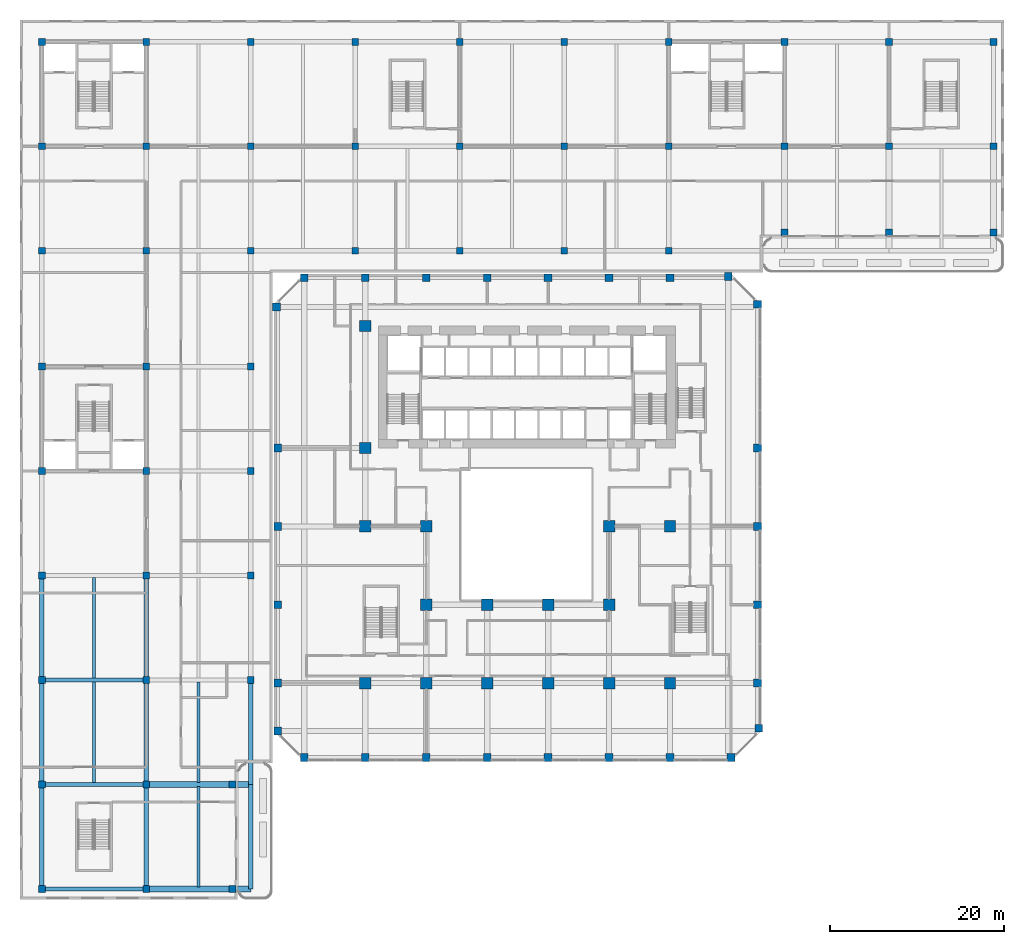
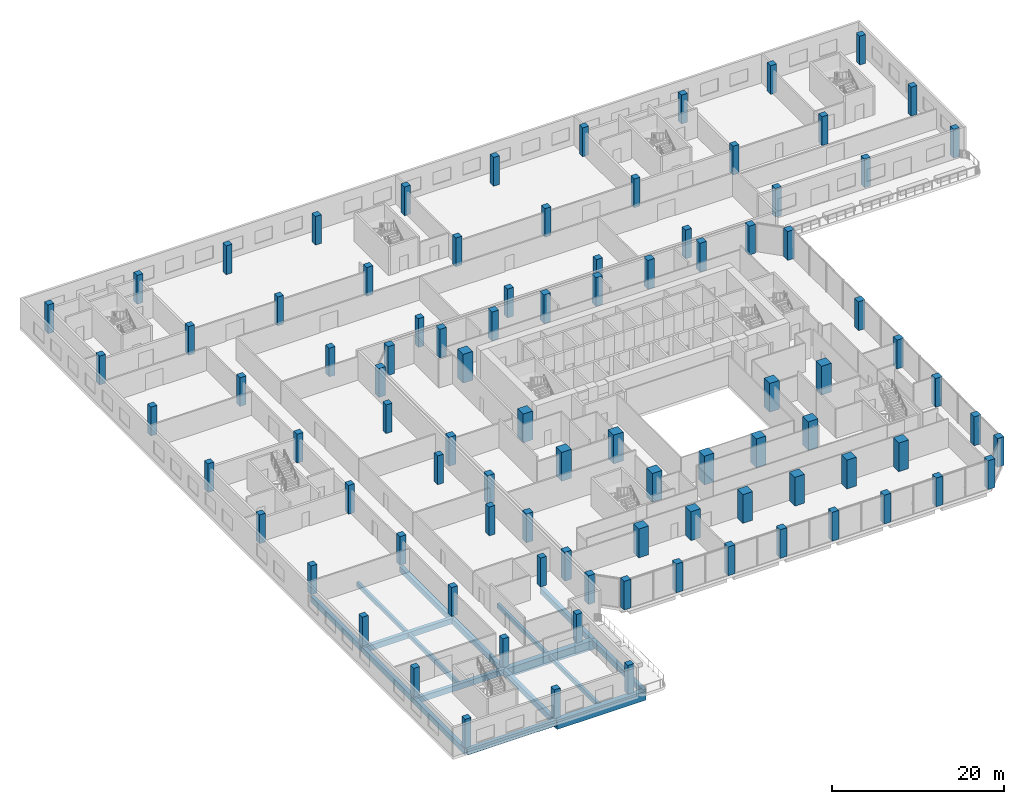
# One storey, part 1 of 35: 92 columns, 17 beams.
"""IFC4 building model written with IfcOpenShell, lengths in metres."""

from ifc_helpers import new_model, si_unit, direction, frame, origin, origin_2d, place, context, subcontext, project, spatial, rectangle, extrude, source, transform, mapped, material, material_profile, profile_set, type_object, element, save


model = new_model("IFC4")

# Units and contexts
model_context = context("Model", 3, precision=1e-05, world=origin(), true_north=direction((0.0, 1.0)))
body_context = subcontext(model_context, "Body", "Model", "MODEL_VIEW")
ifc_project = project(units=[si_unit("LENGTHUNIT", "METRE"), si_unit("AREAUNIT", "SQUARE_METRE"), si_unit("VOLUMEUNIT", "CUBIC_METRE"), si_unit("PLANEANGLEUNIT", "RADIAN"), si_unit("MASSUNIT", "GRAM", prefix="KILO")], contexts=[model_context])

# Site, building, storey
site_placement = place(None, origin())
site = spatial("IfcSite", under=ifc_project, at=site_placement, CompositionType="ELEMENT")
building_placement = place(site_placement, origin())
building = spatial("IfcBuilding", under=site, at=building_placement, Name="Kilnfold Tower and Market Hall", CompositionType="ELEMENT")
storey_placement = place(building_placement, frame((0.0, 0.0, 13.5)))
storey = spatial("IfcBuildingStorey", under=building, at=storey_placement, Name="L02", CompositionType="ELEMENT", Elevation=13.5)

# Columns
ifc_material_1 = material(Name="Concrete C80", Category="concrete")
ifc_material_profile_1 = material_profile(ifc_material_1, rectangle(XDim=0.89990234375, YDim=0.89990234375, at=origin_2d()), Name="RC 900x900")
ifc_profile_set_1 = profile_set([ifc_material_profile_1], Name="Concrete C80")
column_type_1 = type_object("IfcColumnType", Name="COLUMN 900X900 C80", PredefinedType="COLUMN", material=ifc_profile_set_1)
shared_shape_1 = source(origin(), body_context, "Body", "SweptSolid", [
    extrude(rectangle(XDim=0.89990234375, YDim=0.89990234375, at=origin_2d()), origin(), (0.0, 0.0, 1.0), 4.10009765625),
])
for number, where, z_axis, x_axis, name in (
    (1, (-27.681884765625, 24.181884765625, 0.0), (0.0, 0.0, 1.0), (1.0, 0.0, 0.0), "Column C-B1-1H"),
    (2, (-27.550048828125, -24.5, 0.0), (0.0, 0.0, 1.0), (1.0, 0.0, 0.0), "Column C-B1-1B"),
    (3, (-27.550048828125, -19.0, 0.0), (0.0, 0.0, 1.0), (1.0, 0.0, 0.0), "Column C-B1-1C"),
    (4, (-27.550048828125, -10.0, 0.0), (0.0, 0.0, 1.0), (1.0, 0.0, 0.0), "Column C-B1-1D"),
    (5, (-27.550048828125, -1.0, 0.0), (0.0, 0.0, 1.0), (1.0, 0.0, 0.0), "Column C-B1-1E"),
    (6, (-27.550048828125, 8.0, 0.0), (0.0, 0.0, 1.0), (1.0, 0.0, 0.0), "Column C-B1-1F"),
    (7, (-24.5, -27.550048828125, 0.0), (0.0, 0.0, 1.0), (1.0, 0.0, 0.0), "Column C-B1-2A"),
    (8, (-24.5, 27.550048828125, 0.0), (0.0, 0.0, 1.0), (1.0, 0.0, 0.0), "Column C-B1-2I"),
    (9, (-17.5, -27.550048828125, 0.0), (0.0, 0.0, 1.0), (1.0, 0.0, 0.0), "Column C-B1-3A"),
    (10, (-17.5, 27.550048828125, 0.0), (0.0, 0.0, 1.0), (1.0, 0.0, 0.0), "Column C-B1-3I"),
    (11, (-10.5, -27.550048828125, 0.0), (0.0, 0.0, 1.0), (1.0, 0.0, 0.0), "Column C-B1-4A"),
    (12, (-10.5, 27.550048828125, 0.0), (0.0, 0.0, 1.0), (1.0, 0.0, 0.0), "Column C-B1-4I"),
    (13, (-3.5, -27.550048828125, 0.0), (0.0, 0.0, 1.0), (1.0, 0.0, 0.0), "Column C-B1-5A"),
    (14, (-3.5, 27.550048828125, 0.0), (0.0, 0.0, 1.0), (1.0, 0.0, 0.0), "Column C-B1-5I"),
    (15, (3.5, -27.550048828125, 0.0), (0.0, 0.0, 1.0), (1.0, 0.0, 0.0), "Column C-B1-6A"),
    (16, (3.5, 27.550048828125, 0.0), (0.0, 0.0, 1.0), (1.0, 0.0, 0.0), "Column C-B1-6I"),
    (17, (10.5, -27.550048828125, 0.0), (0.0, 0.0, 1.0), (1.0, 0.0, 0.0), "Column C-B1-7A"),
    (18, (10.5, 27.550048828125, 0.0), (0.0, 0.0, 1.0), (1.0, 0.0, 0.0), "Column C-B1-7I"),
    (19, (17.5, -27.550048828125, 0.0), (0.0, 0.0, 1.0), (1.0, 0.0, 0.0), "Column C-B1-8A"),
    (20, (17.5, 27.550048828125, 0.0), (0.0, 0.0, 1.0), (1.0, 0.0, 0.0), "Column C-B1-8I"),
    (21, (24.181884765625, 27.681884765625, 0.0), (0.0, 0.0, 1.0), (1.0, 0.0, 0.0), "Column C-B1-9I"),
    (22, (24.5, -27.550048828125, 0.0), (0.0, 0.0, 1.0), (1.0, 0.0, 0.0), "Column C-B1-9A"),
    (23, (27.550048828125, -19.0, 0.0), (0.0, 0.0, 1.0), (1.0, 0.0, 0.0), "Column C-B1-10C"),
    (24, (27.550048828125, -10.0, 0.0), (0.0, 0.0, 1.0), (1.0, 0.0, 0.0), "Column C-B1-10D"),
    (25, (27.550048828125, -1.0, 0.0), (0.0, 0.0, 1.0), (1.0, 0.0, 0.0), "Column C-B1-10E"),
    (26, (27.550048828125, 8.0, 0.0), (0.0, 0.0, 1.0), (1.0, 0.0, 0.0), "Column C-B1-10F"),
    (27, (27.550048828125, 24.5, 0.0), (0.0, 0.0, 1.0), (1.0, 0.0, 0.0), "Column C-B1-10H"),
    (28, (27.681884765625, -24.181884765625, 0.0), (0.0, 0.0, 1.0), (1.0, 0.0, 0.0), "Column C-B1-10B"),
):
    element("IfcColumn", number, at=place(storey_placement, frame(where, z_axis=z_axis, x_axis=x_axis)), inside=storey, type_object=column_type_1, Name=name, PredefinedType="COLUMN", context=body_context, shape_type="MappedRepresentation", body=[
        mapped(shared_shape_1, transform((0.0, 0.0, 0.0))),
    ])
ifc_material_2 = material(Name="Concrete C80", Category="concrete")
ifc_material_profile_2 = material_profile(ifc_material_2, rectangle(XDim=1.300048828125, YDim=1.300048828125, at=origin_2d()), Name="RC 1300x1300")
ifc_profile_set_2 = profile_set([ifc_material_profile_2], Name="Concrete C80")
column_type_2 = type_object("IfcColumnType", Name="COLUMN 1300X1300 C80", PredefinedType="COLUMN", material=ifc_profile_set_2)
shared_shape_2 = source(origin(), body_context, "Body", "SweptSolid", [
    extrude(rectangle(XDim=1.300048828125, YDim=1.300048828125, at=origin_2d()), origin(), (0.0, 0.0, 1.0), 4.10009765625),
])
for number, where, z_axis, x_axis, name in (
    (29, (-17.5, -19.0, 0.0), (0.0, 0.0, 1.0), (1.0, 0.0, 0.0), "Column C-B1-3C"),
    (30, (-17.5, -1.0, 0.0), (0.0, 0.0, 1.0), (1.0, 0.0, 0.0), "Column C-B1-3E"),
    (31, (-17.5, 8.0, 0.0), (0.0, 0.0, 1.0), (1.0, 0.0, 0.0), "Column C-B1-3F"),
    (32, (-17.5, 22.0, 0.0), (0.0, 0.0, 1.0), (1.0, 0.0, 0.0), "Column C-B1-3G"),
    (33, (-10.5, -19.0, 0.0), (0.0, 0.0, 1.0), (1.0, 0.0, 0.0), "Column C-B1-4C"),
    (34, (-10.5, -10.0, 0.0), (0.0, 0.0, 1.0), (1.0, 0.0, 0.0), "Column C-B1-4D"),
    (35, (-10.5, -1.0, 0.0), (0.0, 0.0, 1.0), (1.0, 0.0, 0.0), "Column C-B1-4E"),
    (36, (-3.5, -19.0, 0.0), (0.0, 0.0, 1.0), (1.0, 0.0, 0.0), "Column C-B1-5C"),
    (37, (-3.5, -10.0, 0.0), (0.0, 0.0, 1.0), (1.0, 0.0, 0.0), "Column C-B1-5D"),
    (38, (3.5, -19.0, 0.0), (0.0, 0.0, 1.0), (1.0, 0.0, 0.0), "Column C-B1-6C"),
    (39, (3.5, -10.0, 0.0), (0.0, 0.0, 1.0), (1.0, 0.0, 0.0), "Column C-B1-6D"),
    (40, (10.5, -19.0, 0.0), (0.0, 0.0, 1.0), (1.0, 0.0, 0.0), "Column C-B1-7C"),
    (41, (10.5, -10.0, 0.0), (0.0, 0.0, 1.0), (1.0, 0.0, 0.0), "Column C-B1-7D"),
    (42, (10.5, -1.0, 0.0), (0.0, 0.0, 1.0), (1.0, 0.0, 0.0), "Column C-B1-7E"),
    (43, (17.5, -19.0, 0.0), (0.0, 0.0, 1.0), (1.0, 0.0, 0.0), "Column C-B1-8C"),
    (44, (17.5, -1.0, 0.0), (0.0, 0.0, 1.0), (1.0, 0.0, 0.0), "Column C-B1-8E"),
):
    element("IfcColumn", number, at=place(storey_placement, frame(where, z_axis=z_axis, x_axis=x_axis)), inside=storey, type_object=column_type_2, Name=name, PredefinedType="COLUMN", context=body_context, shape_type="MappedRepresentation", body=[
        mapped(shared_shape_2, transform((0.0, 0.0, 0.0))),
    ])
ifc_material_3 = material(Name="Concrete C45/55", Category="concrete")
ifc_material_profile_3 = material_profile(ifc_material_3, rectangle(XDim=0.800048828125, YDim=0.800048828125, at=origin_2d()), Name="RC 800x800")
ifc_profile_set_3 = profile_set([ifc_material_profile_3], Name="Concrete C45/55")
column_type_3 = type_object("IfcColumnType", Name="HALL COL 800", PredefinedType="COLUMN", material=ifc_profile_set_3)
shared_shape_3 = source(origin(), body_context, "Body", "SweptSolid", [
    extrude(rectangle(XDim=0.800048828125, YDim=0.800048828125, at=origin_2d()), origin(), (0.0, 0.0, 1.0), 4.10009765625),
])
for number, where, z_axis, x_axis, name in (
    (45, (-54.64990234375, -42.64990234375, 0.0), (0.0, 0.0, 1.0), (1.0, 0.0, 0.0), "Column MC-1A"),
    (46, (-54.64990234375, -30.64990234375, 0.0), (0.0, 0.0, 1.0), (1.0, 0.0, 0.0), "Column MC-1B"),
    (47, (-54.64990234375, -18.64990234375, 0.0), (0.0, 0.0, 1.0), (1.0, 0.0, 0.0), "Column MC-1C"),
    (48, (-54.64990234375, -6.64990234375, 0.0), (0.0, 0.0, 1.0), (1.0, 0.0, 0.0), "Column MC-1D"),
    (49, (-54.64990234375, 5.35009765625, 0.0), (0.0, 0.0, 1.0), (1.0, 0.0, 0.0), "Column MC-1E"),
    (50, (-54.64990234375, 17.35009765625, 0.0), (0.0, 0.0, 1.0), (1.0, 0.0, 0.0), "Column MC-1F"),
    (51, (-54.64990234375, 30.64990234375, 0.0), (0.0, 0.0, 1.0), (1.0, 0.0, 0.0), "Column MC-1G"),
    (52, (-54.64990234375, 42.64990234375, 0.0), (0.0, 0.0, 1.0), (1.0, 0.0, 0.0), "Column MC-1H"),
    (53, (-54.64990234375, 54.64990234375, 0.0), (0.0, 0.0, 1.0), (1.0, 0.0, 0.0), "Column MC-1I"),
    (54, (-42.64990234375, -42.64990234375, 0.0), (0.0, 0.0, 1.0), (1.0, 0.0, 0.0), "Column MC-2A"),
    (55, (-42.64990234375, -30.64990234375, 0.0), (0.0, 0.0, 1.0), (1.0, 0.0, 0.0), "Column MC-2B"),
    (56, (-42.64990234375, -18.64990234375, 0.0), (0.0, 0.0, 1.0), (1.0, 0.0, 0.0), "Column MC-2C"),
    (57, (-42.64990234375, -6.64990234375, 0.0), (0.0, 0.0, 1.0), (1.0, 0.0, 0.0), "Column MC-2D"),
    (58, (-42.64990234375, 5.35009765625, 0.0), (0.0, 0.0, 1.0), (1.0, 0.0, 0.0), "Column MC-2E"),
    (59, (-42.64990234375, 17.35009765625, 0.0), (0.0, 0.0, 1.0), (1.0, 0.0, 0.0), "Column MC-2F"),
    (60, (-42.64990234375, 30.64990234375, 0.0), (0.0, 0.0, 1.0), (1.0, 0.0, 0.0), "Column MC-2G"),
    (61, (-42.64990234375, 42.64990234375, 0.0), (0.0, 0.0, 1.0), (1.0, 0.0, 0.0), "Column MC-2H"),
    (62, (-42.64990234375, 54.64990234375, 0.0), (0.0, 0.0, 1.0), (1.0, 0.0, 0.0), "Column MC-2I"),
    (63, (-32.75, -42.64990234375, 0.0), (0.0, 0.0, 1.0), (1.0, 0.0, 0.0), "Column MC-E1A"),
    (64, (-32.75, -30.64990234375, 0.0), (0.0, 0.0, 1.0), (1.0, 0.0, 0.0), "Column MC-E1B"),
    (65, (-30.64990234375, -18.64990234375, 0.0), (0.0, 0.0, 1.0), (1.0, 0.0, 0.0), "Column MC-3C"),
    (66, (-30.64990234375, -6.64990234375, 0.0), (0.0, 0.0, 1.0), (1.0, 0.0, 0.0), "Column MC-3D"),
    (67, (-30.64990234375, 5.35009765625, 0.0), (0.0, 0.0, 1.0), (1.0, 0.0, 0.0), "Column MC-3E"),
    (68, (-30.64990234375, 17.35009765625, 0.0), (0.0, 0.0, 1.0), (1.0, 0.0, 0.0), "Column MC-3F"),
    (69, (-30.64990234375, 30.64990234375, 0.0), (0.0, 0.0, 1.0), (1.0, 0.0, 0.0), "Column MC-3G"),
    (70, (-30.64990234375, 42.64990234375, 0.0), (0.0, 0.0, 1.0), (1.0, 0.0, 0.0), "Column MC-3H"),
    (71, (-30.64990234375, 54.64990234375, 0.0), (0.0, 0.0, 1.0), (1.0, 0.0, 0.0), "Column MC-3I"),
    (72, (-18.64990234375, 30.64990234375, 0.0), (0.0, 0.0, 1.0), (1.0, 0.0, 0.0), "Column MC-4G"),
    (73, (-18.64990234375, 42.64990234375, 0.0), (0.0, 0.0, 1.0), (1.0, 0.0, 0.0), "Column MC-4H"),
    (74, (-18.64990234375, 54.64990234375, 0.0), (0.0, 0.0, 1.0), (1.0, 0.0, 0.0), "Column MC-4I"),
    (75, (-6.64990234375, 30.64990234375, 0.0), (0.0, 0.0, 1.0), (1.0, 0.0, 0.0), "Column MC-5G"),
    (76, (-6.64990234375, 42.64990234375, 0.0), (0.0, 0.0, 1.0), (1.0, 0.0, 0.0), "Column MC-5H"),
    (77, (-6.64990234375, 54.64990234375, 0.0), (0.0, 0.0, 1.0), (1.0, 0.0, 0.0), "Column MC-5I"),
    (78, (5.35009765625, 30.64990234375, 0.0), (0.0, 0.0, 1.0), (1.0, 0.0, 0.0), "Column MC-6G"),
    (79, (5.35009765625, 42.64990234375, 0.0), (0.0, 0.0, 1.0), (1.0, 0.0, 0.0), "Column MC-6H"),
    (80, (5.35009765625, 54.64990234375, 0.0), (0.0, 0.0, 1.0), (1.0, 0.0, 0.0), "Column MC-6I"),
    (81, (17.35009765625, 30.64990234375, 0.0), (0.0, 0.0, 1.0), (1.0, 0.0, 0.0), "Column MC-7G"),
    (82, (17.35009765625, 42.64990234375, 0.0), (0.0, 0.0, 1.0), (1.0, 0.0, 0.0), "Column MC-7H"),
    (83, (17.35009765625, 54.64990234375, 0.0), (0.0, 0.0, 1.0), (1.0, 0.0, 0.0), "Column MC-7I"),
    (84, (30.64990234375, 32.75, 0.0), (0.0, 0.0, 1.0), (1.0, 0.0, 0.0), "Column MC-E18"),
    (85, (30.64990234375, 42.64990234375, 0.0), (0.0, 0.0, 1.0), (1.0, 0.0, 0.0), "Column MC-8H"),
    (86, (30.64990234375, 54.64990234375, 0.0), (0.0, 0.0, 1.0), (1.0, 0.0, 0.0), "Column MC-8I"),
    (87, (42.64990234375, 32.75, 0.0), (0.0, 0.0, 1.0), (1.0, 0.0, 0.0), "Column MC-E19"),
    (88, (42.64990234375, 42.64990234375, 0.0), (0.0, 0.0, 1.0), (1.0, 0.0, 0.0), "Column MC-9H"),
    (89, (42.64990234375, 54.64990234375, 0.0), (0.0, 0.0, 1.0), (1.0, 0.0, 0.0), "Column MC-9I"),
    (90, (54.64990234375, 32.75, 0.0), (0.0, 0.0, 1.0), (1.0, 0.0, 0.0), "Column MC-E110"),
    (91, (54.64990234375, 42.64990234375, 0.0), (0.0, 0.0, 1.0), (1.0, 0.0, 0.0), "Column MC-10H"),
    (92, (54.64990234375, 54.64990234375, 0.0), (0.0, 0.0, 1.0), (1.0, 0.0, 0.0), "Column MC-10I"),
):
    element("IfcColumn", number, at=place(storey_placement, frame(where, z_axis=z_axis, x_axis=x_axis)), inside=storey, type_object=column_type_3, Name=name, PredefinedType="COLUMN", context=body_context, shape_type="MappedRepresentation", body=[
        mapped(shared_shape_3, transform((0.0, 0.0, 0.0))),
    ])

# Beams
ifc_material_4 = material(Name="Concrete C40/50", Category="concrete")
ifc_material_profile_4 = material_profile(ifc_material_4, rectangle(XDim=0.5, YDim=0.800048828125, at=origin_2d()), Name="RC 500x800")
ifc_profile_set_4 = profile_set([ifc_material_profile_4], Name="Concrete C40/50")
beam_type_1 = type_object("IfcBeamType", Name="HALL GIRDER 500X800", PredefinedType="BEAM", material=ifc_profile_set_4)
for number, where, z_axis, x_axis, name in (
    (93, (-54.64990234375, -42.64990234375, -0.800048828125), (0.0, 1.0, 0.0), (-1.0, 0.0, 0.0), "Beam MG2.1"),
    (94, (-54.64990234375, -42.64990234375, -0.800048828125), (1.0, 0.0, 0.0), (0.0, 1.0, 0.0), "Beam MG2.2"),
    (95, (-54.64990234375, -30.64990234375, -0.800048828125), (0.0, 1.0, 0.0), (-1.0, 0.0, 0.0), "Beam MG2.3"),
    (96, (-54.64990234375, -30.64990234375, -0.800048828125), (1.0, 0.0, 0.0), (0.0, 1.0, 0.0), "Beam MG2.4"),
    (97, (-54.64990234375, -18.64990234375, -0.800048828125), (0.0, 1.0, 0.0), (-1.0, 0.0, 0.0), "Beam MG2.5"),
    (98, (-54.64990234375, -18.64990234375, -0.800048828125), (1.0, 0.0, 0.0), (0.0, 1.0, 0.0), "Beam MG2.6"),
    (99, (-42.64990234375, -42.64990234375, -0.800048828125), (0.0, 1.0, 0.0), (-1.0, 0.0, 0.0), "Beam MG2.18"),
    (100, (-42.64990234375, -30.64990234375, -0.800048828125), (0.0, 1.0, 0.0), (-1.0, 0.0, 0.0), "Beam MG2.19"),
    (101, (-42.64990234375, -18.64990234375, -0.800048828125), (0.0, 1.0, 0.0), (-1.0, 0.0, 0.0), "Beam MG2.20"),
    (102, (-30.64990234375, -42.64990234375, -0.800048828125), (0.0, 1.0, 0.0), (-1.0, 0.0, 0.0), "Beam MG2.33"),
    (103, (-30.64990234375, -30.64990234375, -0.800048828125), (0.0, 1.0, 0.0), (-1.0, 0.0, 0.0), "Beam MG2.34"),
):
    element("IfcBeam", number, at=place(storey_placement, frame(where, z_axis=z_axis, x_axis=x_axis)), inside=storey, type_object=beam_type_1, Name=name, PredefinedType="BEAM", context=body_context, shape_type="SweptSolid", body=[
        extrude(rectangle(XDim=0.5, YDim=0.800048828125, at=origin_2d()), origin(), (0.0, 0.0, 1.0), 12.0),
    ])
ifc_material_5 = material(Name="Concrete C40/50", Category="concrete")
ifc_material_profile_5 = material_profile(ifc_material_5, rectangle(XDim=0.35009765625, YDim=0.60009765625, at=origin_2d()), Name="RC 350x600")
ifc_profile_set_5 = profile_set([ifc_material_profile_5], Name="Concrete C40/50")
beam_type_2 = type_object("IfcBeamType", Name="HALL JOIST 350X600", PredefinedType="BEAM", material=ifc_profile_set_5)
for number, where, z_axis, x_axis, name in (
    (104, (-48.64990234375, -30.39990234375, -0.699951171875), (0.0, 1.0, 0.0), (-1.0, 0.0, 0.0), "Beam MJ1.1"),
    (105, (-48.64990234375, -18.39990234375, -0.699951171875), (0.0, 1.0, 0.0), (-1.0, 0.0, 0.0), "Beam MJ1.2"),
    (106, (-36.64990234375, -42.39990234375, -0.699951171875), (0.0, 1.0, 0.0), (-1.0, 0.0, 0.0), "Beam MJ1.3"),
    (107, (-36.64990234375, -30.39990234375, -0.699951171875), (0.0, 1.0, 0.0), (-1.0, 0.0, 0.0), "Beam MJ1.4"),
):
    element("IfcBeam", number, at=place(storey_placement, frame(where, z_axis=z_axis, x_axis=x_axis)), inside=storey, type_object=beam_type_2, Name=name, PredefinedType="BEAM", context=body_context, shape_type="SweptSolid", body=[
        extrude(rectangle(XDim=0.35009765625, YDim=0.60009765625, at=origin_2d()), origin(), (0.0, 0.0, 1.0), 11.5),
    ])
ifc_material_6 = material(Name="Concrete C45/55", Category="concrete")
ifc_material_profile_6 = material_profile(ifc_material_6, rectangle(XDim=0.699951171875, YDim=1.300048828125, at=origin_2d()), Name="RC 700x1300")
ifc_profile_set_6 = profile_set([ifc_material_profile_6], Name="Concrete C45/55")
beam_type_3 = type_object("IfcBeamType", Name="HALL TRANSFER 700X1300", PredefinedType="BEAM", material=ifc_profile_set_6)
for number, where, z_axis, x_axis, name in (
    (108, (-42.64990234375, -42.64990234375, -1.050048828125), (1.0, 0.0, 0.0), (0.0, 1.0, 0.0), "Beam MT1.1"),
    (109, (-42.64990234375, -30.64990234375, -1.050048828125), (1.0, 0.0, 0.0), (0.0, 1.0, 0.0), "Beam MT1.2"),
):
    element("IfcBeam", number, at=place(storey_placement, frame(where, z_axis=z_axis, x_axis=x_axis)), inside=storey, type_object=beam_type_3, Name=name, PredefinedType="BEAM", context=body_context, shape_type="SweptSolid", body=[
        extrude(rectangle(XDim=0.699951171875, YDim=1.300048828125, at=origin_2d()), origin(), (0.0, 0.0, 1.0), 12.0),
    ])

save(model, "model.ifc")
